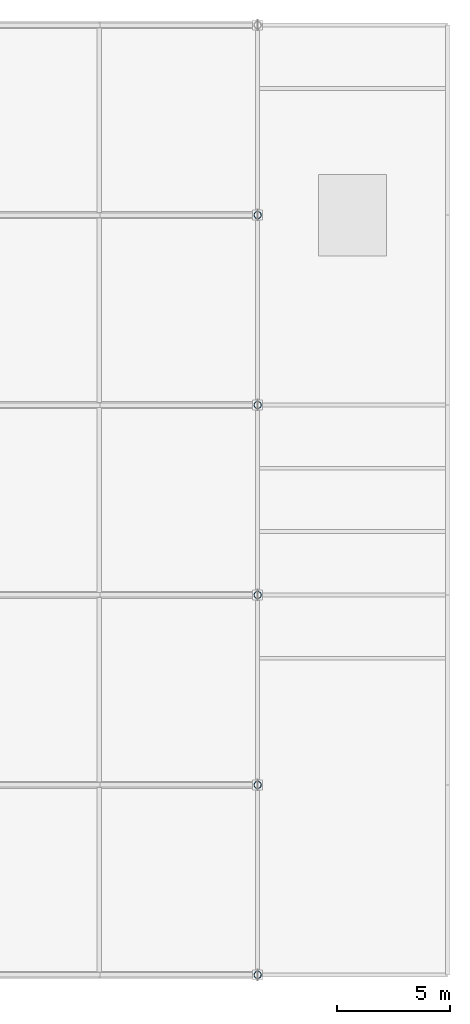
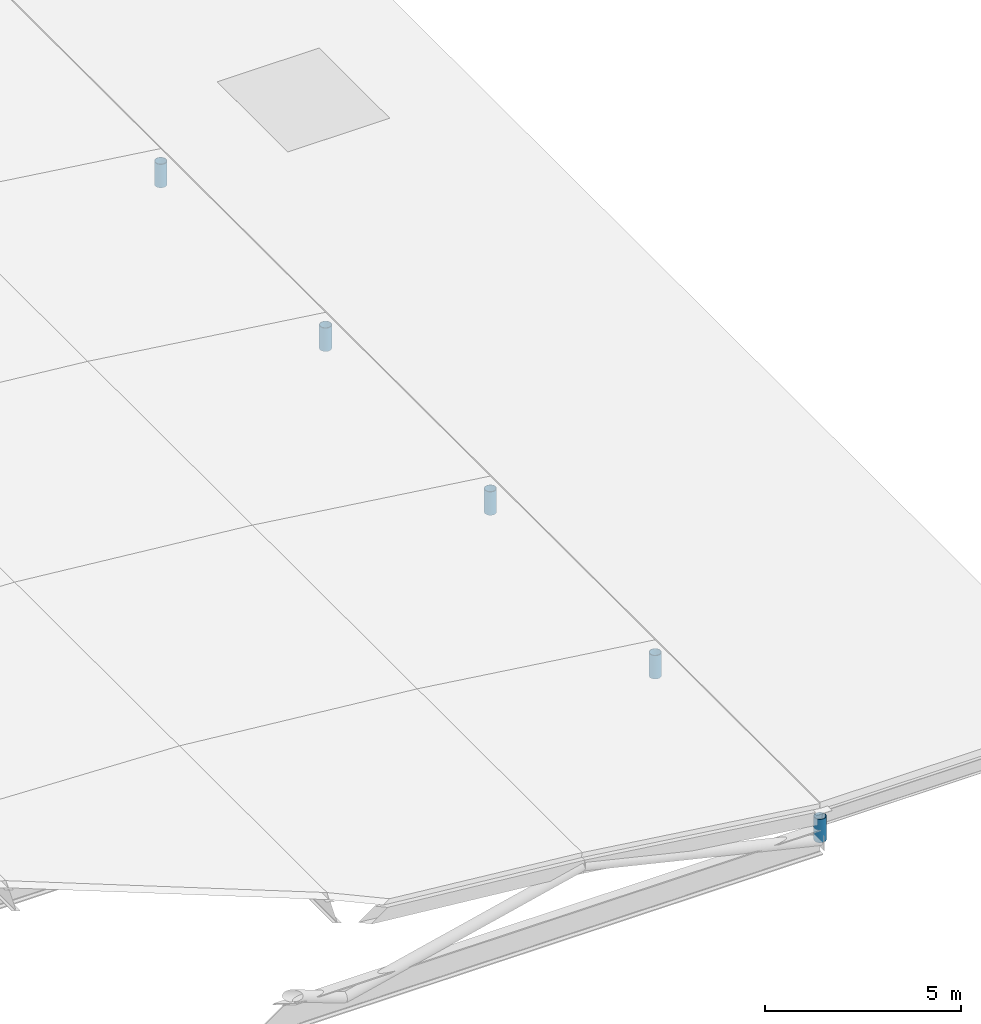
# One storey, part 5 of 11: 5 members.
"""IFC4 building model written with IfcOpenShell, lengths in metres."""

from ifc_helpers import new_model, si_unit, direction, frame, origin, origin_2d, place, context, subcontext, project, spatial, hollow_circle, extrude, material, material_profile, profile_set, type_object, element, save


model = new_model("IFC4")

# Units and contexts
model_context = context("Model", 3, precision=1e-05, world=origin(), true_north=direction((0.0, 1.0)))
body_context = subcontext(model_context, "Body", "Model", "MODEL_VIEW")
ifc_project = project(units=[si_unit("LENGTHUNIT", "METRE"), si_unit("AREAUNIT", "SQUARE_METRE"), si_unit("VOLUMEUNIT", "CUBIC_METRE"), si_unit("PLANEANGLEUNIT", "RADIAN"), si_unit("MASSUNIT", "GRAM", prefix="KILO"), si_unit("THERMODYNAMICTEMPERATUREUNIT", "KELVIN"), si_unit("POWERUNIT", "WATT")], contexts=[model_context])

# Site, building, storey
site_placement = place(None, origin())
site = spatial("IfcSite", under=ifc_project, at=site_placement, CompositionType="ELEMENT")
building_placement = place(site_placement, origin())
building = spatial("IfcBuilding", under=site, at=building_placement, Name="Tembeka Court Mobility Hub", CompositionType="ELEMENT")
storey_placement = place(building_placement, frame((0.0, 0.0, 28.800048828125)))
storey = spatial("IfcBuildingStorey", under=building, at=storey_placement, Name="RF", CompositionType="ELEMENT", Elevation=28.800048828125)

# Members
ifc_material = material(Name="Steel S355", Category="steel")
ifc_material_profile = material_profile(ifc_material, hollow_circle(Radius=0.161865234375, WallThickness=0.012451171875, at=origin_2d()), Name="CHS 323.9x12.5")
ifc_profile_set = profile_set([ifc_material_profile], Name="Steel S355")
member_type = type_object("IfcMemberType", Name="MEM-ST01", PredefinedType="STRUT", material=ifc_profile_set)
for number, where, z_axis, x_axis, name in (
    (1, (84.0, 38.39990234375, -1.150146484375), (0.0, 0.0, 1.0), (1.0, 0.0, 0.0), "Sports hall arch springing post SR01-1-P2"),
    (2, (84.0, 46.800048828125, -1.150146484375), (0.0, 0.0, 1.0), (1.0, 0.0, 0.0), "Sports hall arch springing post SR01-2-P2"),
    (3, (84.0, 55.199951171875, -1.150146484375), (0.0, 0.0, 1.0), (1.0, 0.0, 0.0), "Sports hall arch springing post SR01-3-P2"),
    (4, (84.0, 63.60009765625, -1.150146484375), (0.0, 0.0, 1.0), (1.0, 0.0, 0.0), "Sports hall arch springing post SR01-4-P2"),
    (5, (84.0, 72.0, -1.150146484375), (0.0, 0.0, 1.0), (1.0, 0.0, 0.0), "Sports hall arch springing post SR01-5-P2"),
):
    element("IfcMember", number, at=place(storey_placement, frame(where, z_axis=z_axis, x_axis=x_axis)), inside=storey, type_object=member_type, Name=name, PredefinedType="STRUT", context=body_context, shape_type="SweptSolid", body=[
        extrude(hollow_circle(Radius=0.161865234375, WallThickness=0.012451171875, at=origin_2d()), origin(), (0.0, 0.0, 1.0), 0.72998046875),
    ])

save(model, "model.ifc")
